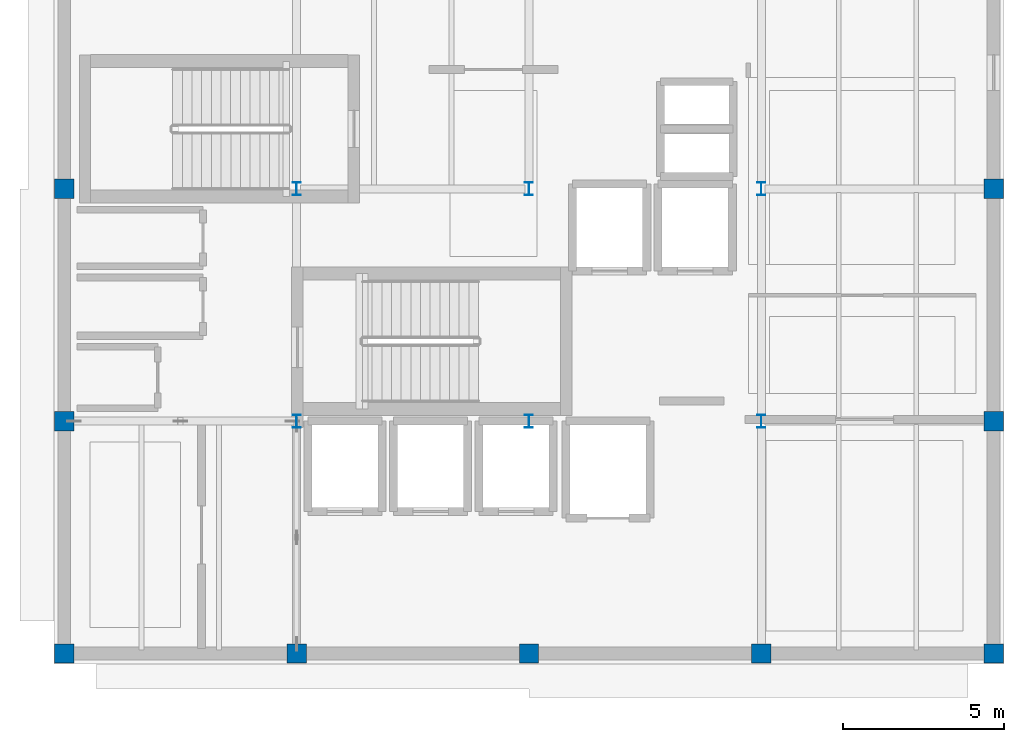
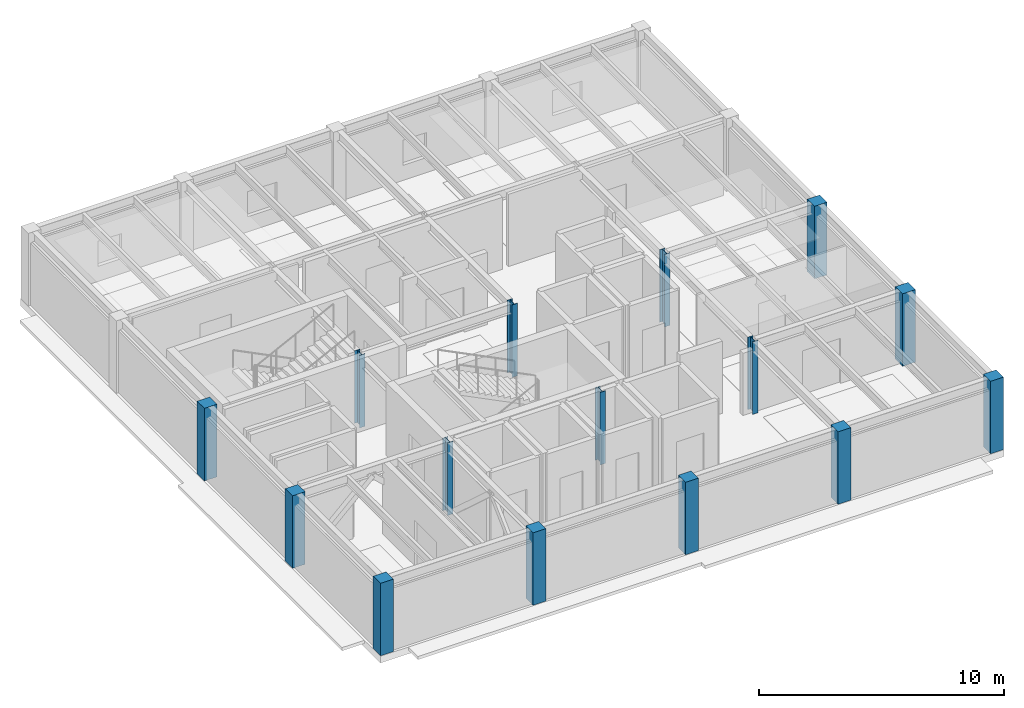
# One storey, part 1 of 8: 15 columns.
"""IFC4 building model written with IfcOpenShell, lengths in metres."""

from ifc_helpers import new_model, si_unit, direction, frame, origin, origin_2d, place, context, subcontext, project, spatial, rectangle, i_section, extrude, material, material_profile, profile_set, type_object, element, save


model = new_model("IFC4")

# Units and contexts
model_context = context("Model", 3, precision=1e-05, world=origin(), true_north=direction((0.0, 1.0)))
body_context = subcontext(model_context, "Body", "Model", "MODEL_VIEW")
ifc_project = project(units=[si_unit("LENGTHUNIT", "METRE"), si_unit("AREAUNIT", "SQUARE_METRE"), si_unit("VOLUMEUNIT", "CUBIC_METRE"), si_unit("PLANEANGLEUNIT", "RADIAN"), si_unit("MASSUNIT", "GRAM", prefix="KILO")], contexts=[model_context])

# Site, building, storey
site_placement = place(None, origin())
site = spatial("IfcSite", under=ifc_project, at=site_placement, CompositionType="ELEMENT")
building_placement = place(site_placement, origin())
building = spatial("IfcBuilding", under=site, at=building_placement, Name="Kandorven Conservatory and Botanical Research Centre", CompositionType="ELEMENT")
storey_placement = place(building_placement, frame((0.0, 0.0, 36.60009765625)))
storey = spatial("IfcBuildingStorey", under=building, at=storey_placement, Name="L09", CompositionType="ELEMENT", Elevation=36.60009765625)

# Columns
ifc_material_1 = material(Name="Steel S355 (IS 2062 E350)", Category="steel")
ifc_material_profile_1 = material_profile(ifc_material_1, i_section(OverallWidth=0.25, OverallDepth=0.39990234375, WebThickness=0.010498046875, FlangeThickness=0.0126953125, at=origin_2d()))
ifc_profile_set_1 = profile_set([ifc_material_profile_1], Name="Steel S355 (IS 2062 E350)")
column_type_1 = type_object("IfcColumnType", Name="Col_SC-02", PredefinedType="COLUMN", material=ifc_profile_set_1)
for number, where, z_axis, x_axis, name in (
    (1, (13.199951171875, 13.199951171875, 0.0), (0.0, 0.0, 1.0), (1.0, 0.0, 0.0), "Column SC-02 TWR L09 (2,2)"),
    (2, (13.199951171875, 20.39990234375, 0.0), (0.0, 0.0, 1.0), (1.0, 0.0, 0.0), "Column SC-02 TWR L09 (2,3)"),
    (3, (20.39990234375, 13.199951171875, 0.0), (0.0, 0.0, 1.0), (1.0, 0.0, 0.0), "Column SC-02 TWR L09 (3,2)"),
    (4, (20.39990234375, 20.39990234375, 0.0), (0.0, 0.0, 1.0), (1.0, 0.0, 0.0), "Column SC-02 TWR L09 (3,3)"),
    (5, (27.60009765625, 13.199951171875, 0.0), (0.0, 0.0, 1.0), (1.0, 0.0, 0.0), "Column SC-02 TWR L09 (4,2)"),
    (6, (27.60009765625, 20.39990234375, 0.0), (0.0, 0.0, 1.0), (1.0, 0.0, 0.0), "Column SC-02 TWR L09 (4,3)"),
):
    element("IfcColumn", number, at=place(storey_placement, frame(where, z_axis=z_axis, x_axis=x_axis)), inside=storey, type_object=column_type_1, Name=name, PredefinedType="COLUMN", context=body_context, shape_type="SweptSolid", body=[
        extrude(i_section(OverallWidth=0.25, OverallDepth=0.39990234375, WebThickness=0.010498046875, FlangeThickness=0.0126953125, at=origin_2d()), origin(), (0.0, 0.0, 1.0), 3.619873046875),
    ])
ifc_material_2 = material(Name="Concrete C40/50 (M50)", Category="concrete")
ifc_material_profile_2 = material_profile(ifc_material_2, rectangle(XDim=0.60009765625, YDim=0.60009765625, at=origin_2d()))
ifc_profile_set_2 = profile_set([ifc_material_profile_2], Name="Concrete C40/50 (M50)")
column_type_2 = type_object("IfcColumnType", Name="Col_TC-04", PredefinedType="COLUMN", material=ifc_profile_set_2)
for number, where, z_axis, x_axis, name in (
    (7, (6.0, 6.0, 0.0), (0.0, 0.0, 1.0), (1.0, 0.0, 0.0), "Column TC-04 TWR L09 (1,1)"),
    (8, (6.0, 13.199951171875, 0.0), (0.0, 0.0, 1.0), (1.0, 0.0, 0.0), "Column TC-04 TWR L09 (1,2)"),
    (9, (6.0, 20.39990234375, 0.0), (0.0, 0.0, 1.0), (1.0, 0.0, 0.0), "Column TC-04 TWR L09 (1,3)"),
    (10, (13.199951171875, 6.0, 0.0), (0.0, 0.0, 1.0), (1.0, 0.0, 0.0), "Column TC-04 TWR L09 (2,1)"),
    (11, (20.39990234375, 6.0, 0.0), (0.0, 0.0, 1.0), (1.0, 0.0, 0.0), "Column TC-04 TWR L09 (3,1)"),
    (12, (27.60009765625, 6.0, 0.0), (0.0, 0.0, 1.0), (1.0, 0.0, 0.0), "Column TC-04 TWR L09 (4,1)"),
    (13, (34.800048828125, 6.0, 0.0), (0.0, 0.0, 1.0), (1.0, 0.0, 0.0), "Column TC-04 TWR L09 (5,1)"),
    (14, (34.800048828125, 13.199951171875, 0.0), (0.0, 0.0, 1.0), (1.0, 0.0, 0.0), "Column TC-04 TWR L09 (5,2)"),
    (15, (34.800048828125, 20.39990234375, 0.0), (0.0, 0.0, 1.0), (1.0, 0.0, 0.0), "Column TC-04 TWR L09 (5,3)"),
):
    element("IfcColumn", number, at=place(storey_placement, frame(where, z_axis=z_axis, x_axis=x_axis)), inside=storey, type_object=column_type_2, Name=name, PredefinedType="COLUMN", context=body_context, shape_type="SweptSolid", body=[
        extrude(rectangle(XDim=0.60009765625, YDim=0.60009765625, at=origin_2d()), origin(), (0.0, 0.0, 1.0), 3.619873046875),
    ])

save(model, "model.ifc")
